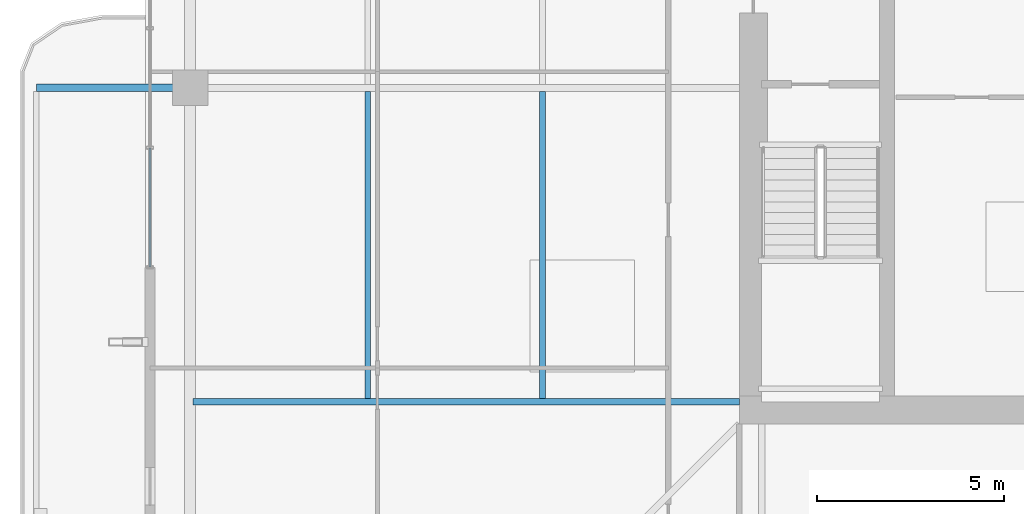
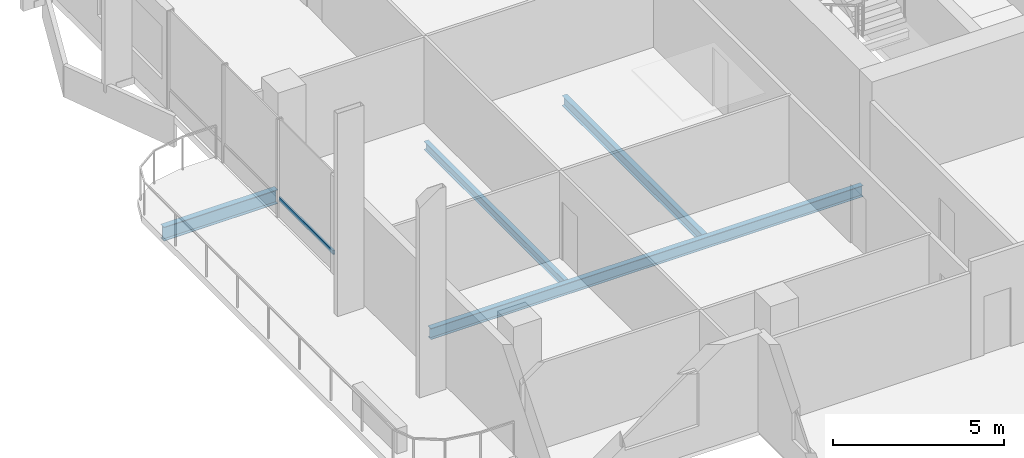
# One storey, part 5 of 25: 4 beams, 1 member, 1 element without a shape of its own.
"""IFC4 building model written with IfcOpenShell, lengths in metres."""

from ifc_helpers import new_model, si_unit, direction, frame, origin, origin_2d, place, context, subcontext, project, spatial, hollow_rectangle, i_section, extrude, material, layer, layer_set, material_profile, profile_set, type_object, element, aggregate, save


model = new_model("IFC4")

# Units and contexts
model_context = context("Model", 3, precision=1e-05, world=origin(), true_north=direction((0.0, 1.0)))
body_context = subcontext(model_context, "Body", "Model", "MODEL_VIEW")
ifc_project = project(units=[si_unit("LENGTHUNIT", "METRE"), si_unit("AREAUNIT", "SQUARE_METRE"), si_unit("VOLUMEUNIT", "CUBIC_METRE"), si_unit("PLANEANGLEUNIT", "RADIAN"), si_unit("MASSUNIT", "GRAM", prefix="KILO")], contexts=[model_context])

# Site, building, storey
site_placement = place(None, origin())
site = spatial("IfcSite", under=ifc_project, at=site_placement, CompositionType="ELEMENT")
building_placement = place(site_placement, origin())
building = spatial("IfcBuilding", under=site, at=building_placement, Name="Belovzor Exchange Tower", CompositionType="ELEMENT")
storey_placement = place(building_placement, frame((0.0, 0.0, 257.85009765625)))
storey = spatial("IfcBuildingStorey", under=building, at=storey_placement, Name="L64", CompositionType="ELEMENT", Elevation=257.85009765625)

# Beams
ifc_material_1 = material(Name="Steel S355", Category="steel")
ifc_material_profile_1 = material_profile(ifc_material_1, i_section(OverallWidth=0.199951171875, OverallDepth=0.5, WebThickness=0.01025390625, FlangeThickness=0.01611328125, at=origin_2d()))
ifc_profile_set_1 = profile_set([ifc_material_profile_1], Name="Steel S355")
beam_type_1 = type_object("IfcBeamType", Name="Planted Balcony Cantilever Beam IPE 500", PredefinedType="BEAM", material=ifc_profile_set_1)
beam_1_placement = place(storey_placement, frame((4.839111328125, 28.800048828125, -0.5), z_axis=(-1.0, 0.0, 0.0), x_axis=(0.0, -1.0, 0.0)))
element("IfcBeam", 1, at=beam_1_placement, inside=storey, type_object=beam_type_1, Name="BC-500 Planted Balcony Cantilever Beam IPE 500", PredefinedType="BEAM", context=body_context, shape_type="SweptSolid", body=[
    extrude(i_section(OverallWidth=0.199951171875, OverallDepth=0.5, WebThickness=0.01025390625, FlangeThickness=0.01611328125, at=origin_2d()), origin(), (0.0, 0.0, 1.0), 3.85009765625),
])
ifc_material_2 = material(Name="Steel S355", Category="steel")
ifc_material_profile_2 = material_profile(ifc_material_2, i_section(OverallWidth=0.169921875, OverallDepth=0.360107421875, WebThickness=0.008056640625, FlangeThickness=0.0126953125, at=origin_2d()))
ifc_profile_set_2 = profile_set([ifc_material_profile_2], Name="Steel S355")
beam_type_2 = type_object("IfcBeamType", Name="Secondary Infill Floor Joist IPE 360", PredefinedType="BEAM", material=ifc_profile_set_2)
beam_2_placement = place(storey_placement, frame((14.534912109375, 20.489990234375, -0.43017578125), z_axis=(0.0, 1.0, 0.0), x_axis=(-1.0, 0.0, 0.0)))
element("IfcBeam", 2, at=beam_2_placement, inside=storey, type_object=beam_type_2, Name="FJ-360 Secondary Infill Floor Joist IPE 360", PredefinedType="BEAM", context=body_context, shape_type="SweptSolid", body=[
    extrude(i_section(OverallWidth=0.169921875, OverallDepth=0.360107421875, WebThickness=0.008056640625, FlangeThickness=0.0126953125, at=origin_2d()), origin(), (0.0, 0.0, 1.0), 8.219970703125),
])
ifc_material_3 = material(Name="Steel S355", Category="steel")
ifc_material_profile_3 = material_profile(ifc_material_3, i_section(OverallWidth=0.14990234375, OverallDepth=0.300048828125, WebThickness=0.007080078125, FlangeThickness=0.0107421875, at=origin_2d()))
ifc_profile_set_3 = profile_set([ifc_material_profile_3], Name="Steel S355")
beam_type_3 = type_object("IfcBeamType", Name="Secondary Trim Floor Joist IPE 300", PredefinedType="BEAM", material=ifc_profile_set_3)
beam_3_placement = place(storey_placement, frame((9.85498046875, 20.489990234375, -0.400146484375), z_axis=(0.0, 1.0, 0.0), x_axis=(-1.0, 0.0, 0.0)))
element("IfcBeam", 3, at=beam_3_placement, inside=storey, type_object=beam_type_3, Name="FJ-300 Secondary Trim Floor Joist IPE 300", PredefinedType="BEAM", context=body_context, shape_type="SweptSolid", body=[
    extrude(i_section(OverallWidth=0.14990234375, OverallDepth=0.300048828125, WebThickness=0.007080078125, FlangeThickness=0.0107421875, at=origin_2d()), origin(), (0.0, 0.0, 1.0), 8.219970703125),
])

# Curtain wall, member
ifc_material_4 = material(Name="Anodised Aluminium Framing", Category="aluminium")
ifc_layer = layer(ifc_material_4, 0.179931640625)
ifc_layer_set = layer_set([ifc_layer], Name="Anodised Aluminium Framing")
curtain_wall_type = type_object("IfcCurtainWallType", Name="Recessed Loggia Low-Iron Triple-Glazed Curtain Wall", PredefinedType="NOTDEFINED", material=ifc_layer_set)
curtain_wall_placement = place(storey_placement, origin())
curtain_wall = element("IfcCurtainWall", 4, at=curtain_wall_placement, inside=storey, type_object=curtain_wall_type, Name="CW3 Recessed Loggia Low-Iron Triple-Glazed Curtain Wall L64", PredefinedType="NOTDEFINED")
ifc_material_5 = material(Name="Steel S355", Category="steel")
ifc_material_profile_4 = material_profile(ifc_material_5, hollow_rectangle(XDim=0.06005859375, YDim=0.14990234375, WallThickness=0.00390625, at=origin_2d()))
ifc_profile_set_4 = profile_set([ifc_material_profile_4], Name="Steel S355")
member_type = type_object("IfcMemberType", Name="Thermally Broken Curtain Wall Transom 150x60", PredefinedType="USERDEFINED", material=ifc_profile_set_4)
member_placement = place(storey_placement, frame((4.030029296875, 24.008056640625, 0.6298828125), z_axis=(0.0, 1.0, 0.0), x_axis=(-1.0, 0.0, 0.0)))
member = element("IfcMember", 5, at=member_placement, type_object=member_type, Name="CW-T150 Curtain Wall Transom 1", ObjectType="TRANSOM", PredefinedType="USERDEFINED", context=body_context, shape_type="SweptSolid", body=[
    extrude(hollow_rectangle(XDim=0.06005859375, YDim=0.14990234375, WallThickness=0.00390625, at=origin_2d()), origin(), (0.0, 0.0, 1.0), 3.183837890625),
])
aggregate(curtain_wall, [member])

# Beam
ifc_material_6 = material(Name="Steel S355", Category="steel")
ifc_material_profile_5 = material_profile(ifc_material_6, i_section(OverallWidth=0.179931640625, OverallDepth=0.39990234375, WebThickness=0.008544921875, FlangeThickness=0.013427734375, at=origin_2d()))
ifc_profile_set_5 = profile_set([ifc_material_profile_5], Name="Steel S355")
beam_type_4 = type_object("IfcBeamType", Name="Zone 5-6 Radial Composite Floor Beam IPE 400", PredefinedType="BEAM", material=ifc_profile_set_5)
beam_4_placement = place(storey_placement, frame((19.800048828125, 20.39990234375, -0.4501953125), z_axis=(-1.0, 0.0, 0.0), x_axis=(0.0, -1.0, 0.0)))
element("IfcBeam", 6, at=beam_4_placement, inside=storey, type_object=beam_type_4, Name="FB-400 Zone 5-6 Radial Composite Floor Beam IPE 400", PredefinedType="BEAM", context=body_context, shape_type="SweptSolid", body=[
    extrude(i_section(OverallWidth=0.179931640625, OverallDepth=0.39990234375, WebThickness=0.008544921875, FlangeThickness=0.013427734375, at=origin_2d()), origin(), (0.0, 0.0, 1.0), 14.625),
])

save(model, "model.ifc")
